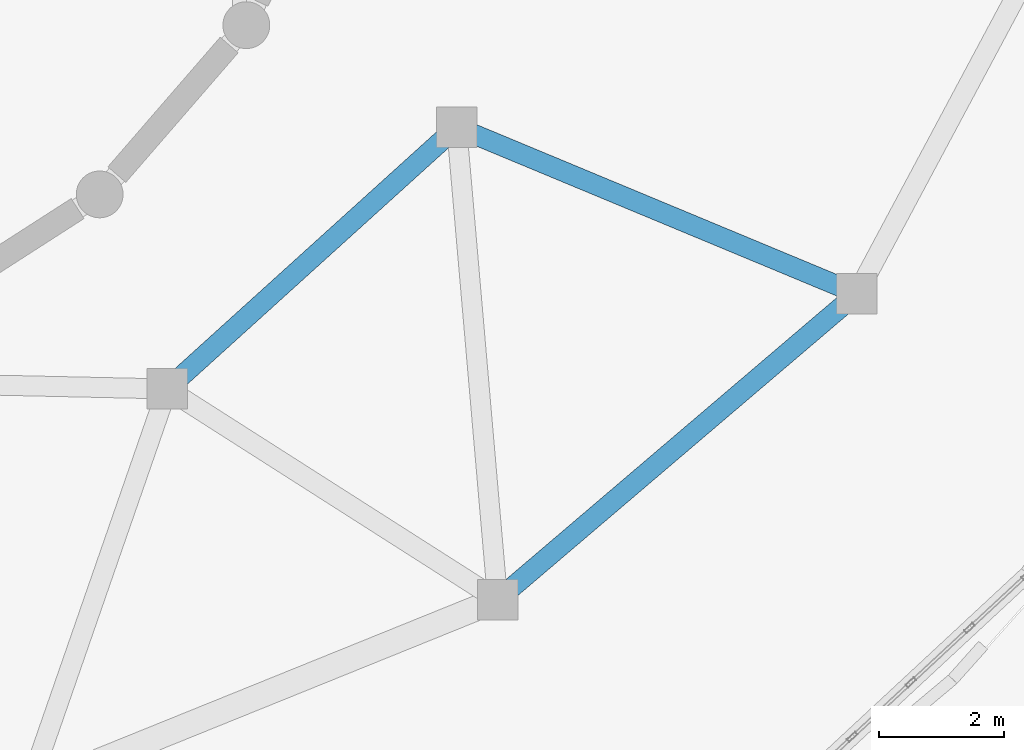
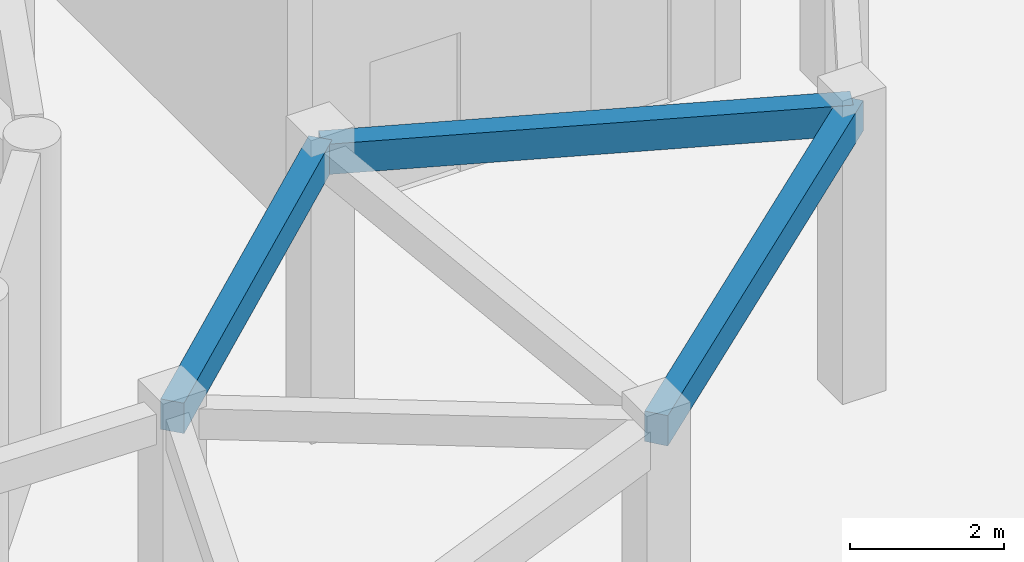
# One storey, part 53 of 105: 3 beams.
"""IFC4 building model written with IfcOpenShell, lengths in metres."""

from ifc_helpers import new_model, si_unit, direction, frame, origin, origin_2d, place, context, subcontext, project, spatial, rectangle, extrude, material, material_profile, profile_set, type_object, element, save


model = new_model("IFC4")

# Units and contexts
model_context = context("Model", 3, precision=1e-05, world=origin(), true_north=direction((0.0, 1.0)))
body_context = subcontext(model_context, "Body", "Model", "MODEL_VIEW")
ifc_project = project(units=[si_unit("LENGTHUNIT", "METRE"), si_unit("AREAUNIT", "SQUARE_METRE"), si_unit("VOLUMEUNIT", "CUBIC_METRE"), si_unit("PLANEANGLEUNIT", "RADIAN"), si_unit("MASSUNIT", "GRAM", prefix="KILO")], contexts=[model_context])

# Site, building, storey
site_placement = place(None, origin())
site = spatial("IfcSite", under=ifc_project, at=site_placement, CompositionType="ELEMENT")
building_placement = place(site_placement, origin())
building = spatial("IfcBuilding", under=site, at=building_placement, Name="Pelvatis Terrace Science Centre", CompositionType="ELEMENT")
storey_placement = place(building_placement, frame((0.0, 0.0, 10.199951171875)))
storey = spatial("IfcBuildingStorey", under=building, at=storey_placement, Name="L02", CompositionType="ELEMENT", Elevation=10.199951171875)

# Beams
ifc_material = material(Name="Concrete C35/45", Category="concrete")
ifc_material_profile = material_profile(ifc_material, rectangle(XDim=0.320068359375, YDim=0.47998046875, at=origin_2d()), Name="RC-BM 320x480")
ifc_profile_set = profile_set([ifc_material_profile], Name="Concrete C35/45")
beam_type = type_object("IfcBeamType", Name="BM-RC-320x480", PredefinedType="BEAM", material=ifc_profile_set)
beam_1_placement = place(storey_placement, frame((123.82421875, 69.786376953125, 4.300048828125), z_axis=(0.761283967921, 0.648418630351, 0.0), x_axis=(-0.648418630351, 0.761283967921, 0.0)))
element("IfcBeam", 1, at=beam_1_placement, inside=storey, type_object=beam_type, Name="Beam BM-L02-2918", PredefinedType="BEAM", context=body_context, shape_type="SweptSolid", body=[
    extrude(rectangle(XDim=0.320068359375, YDim=0.47998046875, at=origin_2d()), origin(), (0.0, 0.0, 1.0), 7.56005859375),
])
beam_2_placement = place(storey_placement, frame((129.57958984375, 74.6884765625, 4.300048828125), z_axis=(-0.923304582387, 0.384068546152, 0.0), x_axis=(-0.384068546152, -0.923304582387, 0.0)))
element("IfcBeam", 2, at=beam_2_placement, inside=storey, type_object=beam_type, Name="Beam BM-L02-2922", PredefinedType="BEAM", context=body_context, shape_type="SweptSolid", body=[
    extrude(rectangle(XDim=0.320068359375, YDim=0.47998046875, at=origin_2d()), origin(), (0.0, 0.0, 1.0), 6.943359375),
])
beam_3_placement = place(storey_placement, frame((118.53369140625, 73.16162109375, 4.300048828125), z_axis=(0.741533928448, 0.670915369447, 0.0), x_axis=(-0.670915369447, 0.741533928448, 0.0)))
element("IfcBeam", 3, at=beam_3_placement, inside=storey, type_object=beam_type, Name="Beam BM-L02-2925", PredefinedType="BEAM", context=body_context, shape_type="SweptSolid", body=[
    extrude(rectangle(XDim=0.320068359375, YDim=0.47998046875, at=origin_2d()), origin(), (0.0, 0.0, 1.0), 6.25048828125),
])

save(model, "model.ifc")
